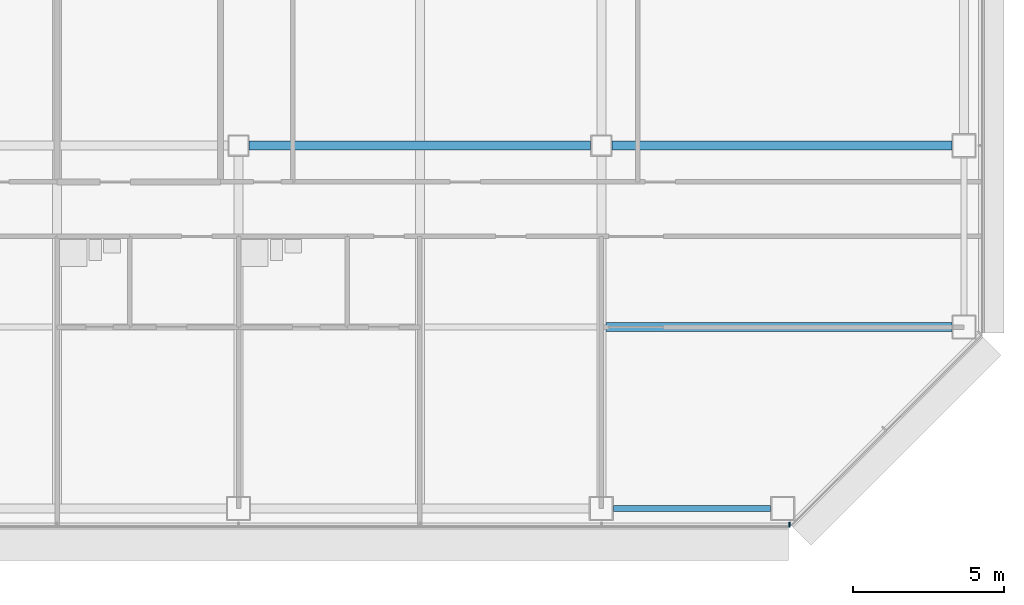
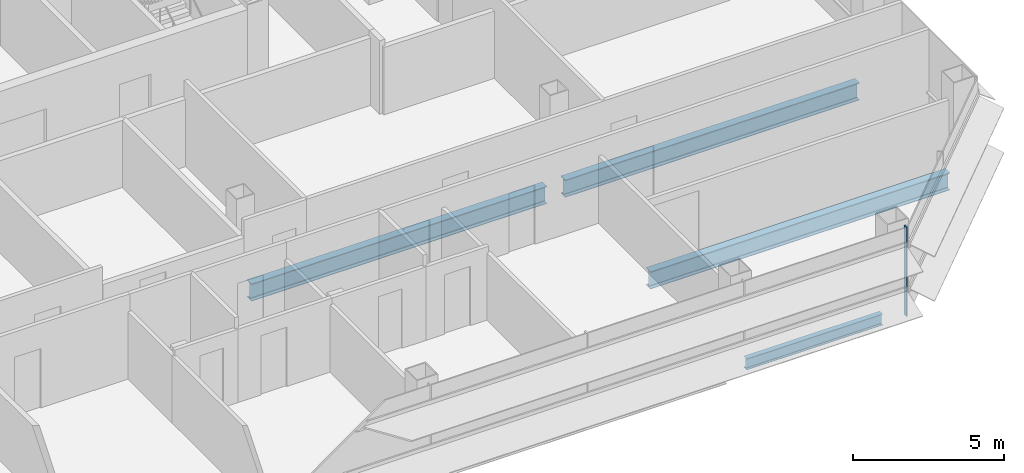
# One storey, part 9 of 25: 4 beams, 1 member, 1 element without a shape of its own.
"""IFC4 building model written with IfcOpenShell, lengths in metres."""

from ifc_helpers import new_model, si_unit, direction, frame, origin, origin_2d, place, context, subcontext, project, spatial, rectangle, i_section, extrude, material, material_profile, profile_set, type_object, element, aggregate, save


model = new_model("IFC4")

# Units and contexts
model_context = context("Model", 3, precision=1e-05, world=origin(), true_north=direction((0.0, 1.0)))
body_context = subcontext(model_context, "Body", "Model", "MODEL_VIEW")
ifc_project = project(units=[si_unit("LENGTHUNIT", "METRE"), si_unit("AREAUNIT", "SQUARE_METRE"), si_unit("VOLUMEUNIT", "CUBIC_METRE"), si_unit("PLANEANGLEUNIT", "RADIAN"), si_unit("MASSUNIT", "GRAM", prefix="KILO")], contexts=[model_context])

# Site, building, storey
site_placement = place(None, origin())
site = spatial("IfcSite", under=ifc_project, at=site_placement, CompositionType="ELEMENT")
building_placement = place(site_placement, origin())
building = spatial("IfcBuilding", under=site, at=building_placement, Name="Sorahane Residences", CompositionType="ELEMENT")
storey_placement = place(building_placement, frame((0.0, 0.0, 126.800048828125)))
storey = spatial("IfcBuildingStorey", under=building, at=storey_placement, Name="L28", CompositionType="ELEMENT", Elevation=126.800048828125)

# Curtain wall, member
ifc_material_1 = material(Name="Dark low-e glass and black anodised aluminium", Category="aluminium")
curtain_wall_type = type_object("IfcCurtainWallType", Name="Curtain wall CW-1 Typical unitised wall", PredefinedType="NOTDEFINED", material=ifc_material_1)
curtain_wall_placement = place(storey_placement, origin())
curtain_wall = element("IfcCurtainWall", 1, at=curtain_wall_placement, inside=storey, type_object=curtain_wall_type, Name="CW-1 curtain wall L28 S1", PredefinedType="NOTDEFINED")
ifc_material_2 = material(Name="Black anodised aluminium", Category="aluminium")
ifc_material_profile_1 = material_profile(ifc_material_2, rectangle(XDim=0.159912109375, YDim=0.050048828125, at=origin_2d()), Name="Curtain wall mullion CW-1 black anodised aluminium 50x160")
ifc_profile_set_1 = profile_set([ifc_material_profile_1], Name="Black anodised aluminium")
member_type = type_object("IfcMemberType", Name="Curtain wall mullion CW-1 black anodised aluminium 50x160", PredefinedType="MULLION", material=ifc_profile_set_1)
member_placement = place(storey_placement, frame((54.2236328125, -0.5400390625, -0.179931640625), z_axis=(0.0, 0.0, 1.0), x_axis=(0.0, -1.0, 0.0)))
member = element("IfcMember", 2, at=member_placement, type_object=member_type, Name="CW-1 mullion L28 S1.10", PredefinedType="MULLION", context=body_context, shape_type="SweptSolid", body=[
    extrude(rectangle(XDim=0.159912109375, YDim=0.050048828125, at=origin_2d()), origin(), (0.0, 0.0, 1.0), 3.599853515625),
])
aggregate(curtain_wall, [member])

# Beams
ifc_material_3 = material(Name="Steel Q355B", Category="steel")
ifc_material_profile_2 = material_profile(ifc_material_3, i_section(OverallWidth=0.199951171875, OverallDepth=0.449951171875, WebThickness=0.009033203125, FlangeThickness=0.013916015625, FilletRadius=0.02001953125, at=origin_2d()), Name="HN 450x200x9x14")
ifc_profile_set_2 = profile_set([ifc_material_profile_2], Name="Steel Q355B")
beam_type_1 = type_object("IfcBeamType", Name="Steel floor beam HN 450x200x9x14 Q355B", PredefinedType="BEAM", material=ifc_profile_set_2)
beam_1_placement = place(storey_placement, frame((48.39990234375, 0.0, -0.405029296875), z_axis=(1.0, 0.0, 0.0), x_axis=(0.0, 1.0, 0.0)))
element("IfcBeam", 3, at=beam_1_placement, inside=storey, type_object=beam_type_1, Name="Beam L28 004", PredefinedType="BEAM", context=body_context, shape_type="SweptSolid", body=[
    extrude(i_section(OverallWidth=0.199951171875, OverallDepth=0.449951171875, WebThickness=0.009033203125, FlangeThickness=0.013916015625, FilletRadius=0.02001953125, at=origin_2d()), origin(), (0.0, 0.0, 1.0), 5.2001953125),
])
ifc_material_4 = material(Name="Steel Q355B", Category="steel")
ifc_material_profile_3 = material_profile(ifc_material_4, i_section(OverallWidth=0.300048828125, OverallDepth=0.699951171875, WebThickness=0.012939453125, FlangeThickness=0.02392578125, FilletRadius=0.028076171875, at=origin_2d()), Name="HN 700x300x13x24")
ifc_profile_set_3 = profile_set([ifc_material_profile_3], Name="Steel Q355B")
beam_type_2 = type_object("IfcBeamType", Name="Steel floor beam HN 700x300x13x24 Q355B", PredefinedType="BEAM", material=ifc_profile_set_3)
beam_2_placement = place(storey_placement, frame((36.35009765625, 12.0, -0.530029296875), z_axis=(1.0, 0.0, 0.0), x_axis=(0.0, 1.0, 0.0)))
element("IfcBeam", 4, at=beam_2_placement, inside=storey, type_object=beam_type_2, Name="Beam L28 009", PredefinedType="BEAM", context=body_context, shape_type="SweptSolid", body=[
    extrude(i_section(OverallWidth=0.300048828125, OverallDepth=0.699951171875, WebThickness=0.012939453125, FlangeThickness=0.02392578125, FilletRadius=0.028076171875, at=origin_2d()), origin(), (0.0, 0.0, 1.0), 11.2998046875),
])
beam_3_placement = place(storey_placement, frame((48.35009765625, 12.0, -0.530029296875), z_axis=(1.0, 0.0, 0.0), x_axis=(0.0, 1.0, 0.0)))
element("IfcBeam", 5, at=beam_3_placement, inside=storey, type_object=beam_type_2, Name="Beam L28 010", PredefinedType="BEAM", context=body_context, shape_type="SweptSolid", body=[
    extrude(i_section(OverallWidth=0.300048828125, OverallDepth=0.699951171875, WebThickness=0.012939453125, FlangeThickness=0.02392578125, FilletRadius=0.028076171875, at=origin_2d()), origin(), (0.0, 0.0, 1.0), 11.25),
])
beam_4_placement = place(storey_placement, frame((48.14990234375, 6.0, -0.530029296875), z_axis=(1.0, 0.0, 0.0), x_axis=(0.0, 1.0, 0.0)))
element("IfcBeam", 6, at=beam_4_placement, inside=storey, type_object=beam_type_2, Name="Beam L28 077", PredefinedType="BEAM", context=body_context, shape_type="SweptSolid", body=[
    extrude(i_section(OverallWidth=0.300048828125, OverallDepth=0.699951171875, WebThickness=0.012939453125, FlangeThickness=0.02392578125, FilletRadius=0.028076171875, at=origin_2d()), origin(), (0.0, 0.0, 1.0), 11.4501953125),
])

save(model, "model.ifc")
